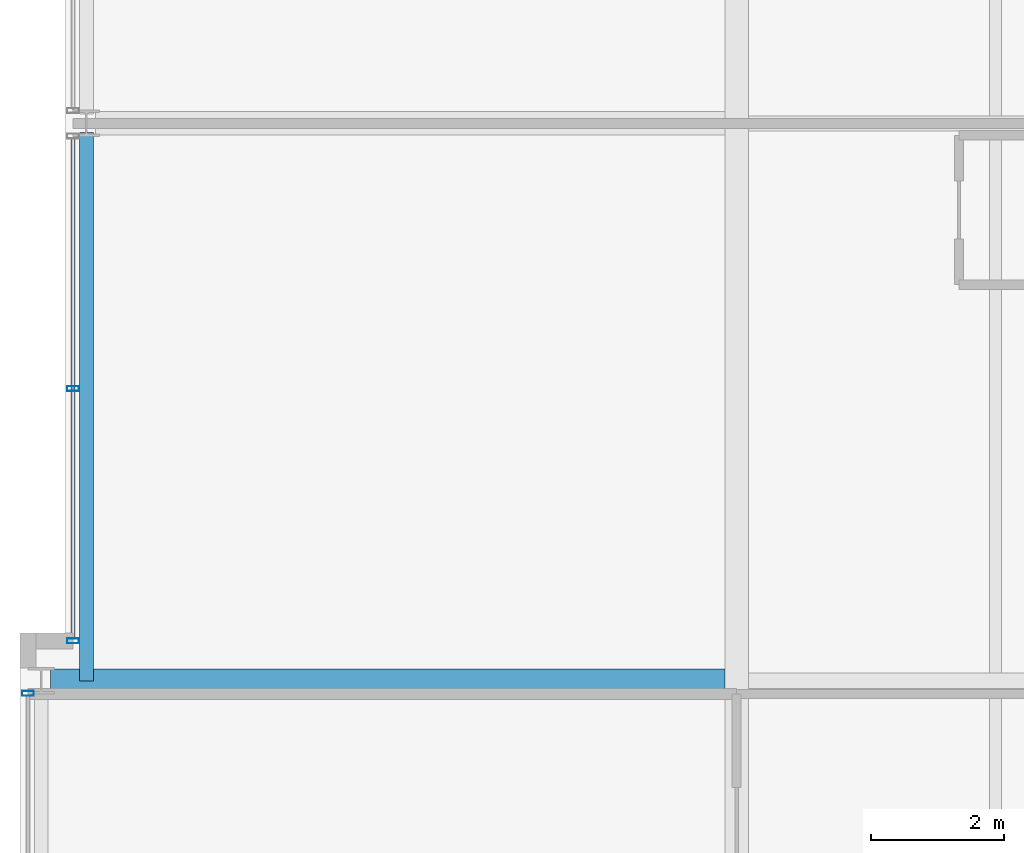
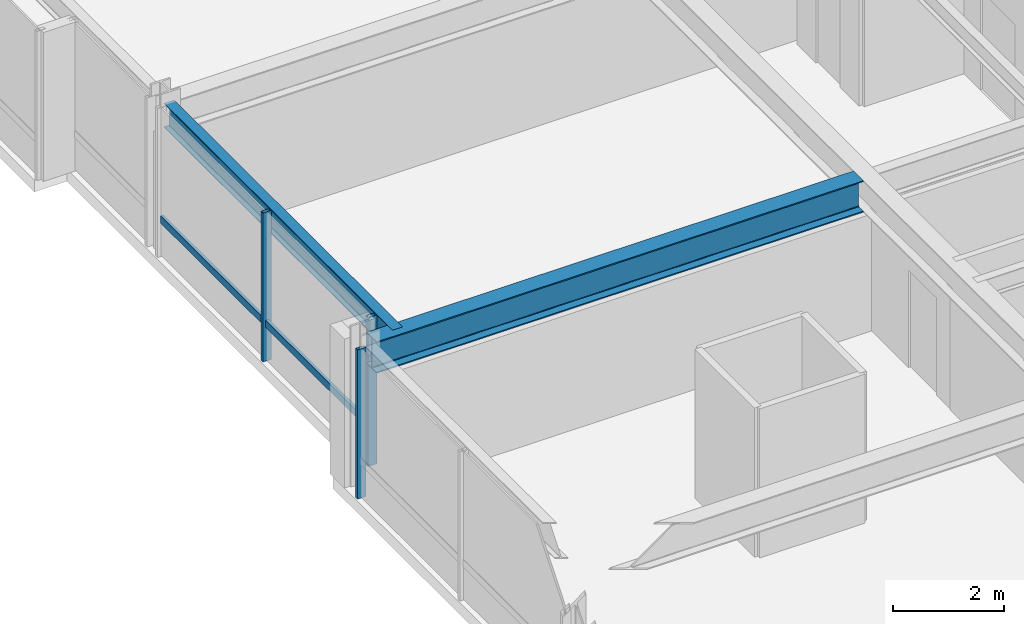
# One storey, part 7 of 33: 4 members, 2 beams, 2 elements without a shape of their own.
"""IFC4 building model written with IfcOpenShell, lengths in metres."""

from ifc_helpers import new_model, si_unit, direction, frame, origin, origin_2d, place, context, subcontext, project, spatial, hollow_rectangle, i_section, extrude, material, layer, layer_set, material_profile, profile_set, type_object, element, aggregate, save


model = new_model("IFC4")

# Units and contexts
model_context = context("Model", 3, precision=1e-05, world=origin(), true_north=direction((0.0, 1.0)))
body_context = subcontext(model_context, "Body", "Model", "MODEL_VIEW")
ifc_project = project(units=[si_unit("LENGTHUNIT", "METRE"), si_unit("AREAUNIT", "SQUARE_METRE"), si_unit("VOLUMEUNIT", "CUBIC_METRE"), si_unit("PLANEANGLEUNIT", "RADIAN"), si_unit("MASSUNIT", "GRAM", prefix="KILO")], contexts=[model_context])

# Site, building, storey
site_placement = place(None, origin())
site = spatial("IfcSite", under=ifc_project, at=site_placement, CompositionType="ELEMENT")
building_placement = place(site_placement, origin())
building = spatial("IfcBuilding", under=site, at=building_placement, Name="Drelvath Grand Hotel", CompositionType="ELEMENT")
storey_placement = place(building_placement, frame((0.0, 0.0, 178.800048828125)))
storey = spatial("IfcBuildingStorey", under=building, at=storey_placement, Name="L46", CompositionType="ELEMENT", Elevation=178.800048828125)

# Curtain wall, member
ifc_material_1 = material(Name="Brushed Pale-Silver Anodised Aluminium Frame", Category="aluminium")
ifc_layer = layer(ifc_material_1, 0.199951171875)
ifc_layer_set = layer_set([ifc_layer], Name="Brushed Pale-Silver Anodised Aluminium Frame")
curtain_wall_type = type_object("IfcCurtainWallType", Name="Stick Curtain Wall CW-04 Brushed Silver Upper-Mid", PredefinedType="NOTDEFINED", material=ifc_layer_set)
curtain_wall_1_placement = place(storey_placement, origin())
curtain_wall_1 = element("IfcCurtainWall", 1, at=curtain_wall_1_placement, inside=storey, type_object=curtain_wall_type, Name="L46 CW-04 Curtain Wall CW04-L46-WM1", PredefinedType="NOTDEFINED")
ifc_material_profile_1 = material_profile(ifc_material_1, hollow_rectangle(XDim=0.06494140625, YDim=0.159912109375, WallThickness=0.00390625, at=origin_2d()), Name="HSS160X65X4")
ifc_profile_set_1 = profile_set([ifc_material_profile_1], Name="Brushed Pale-Silver Anodised Aluminium Frame")
member_type_1 = type_object("IfcMemberType", Name="Curtain Wall Horizontal Transom CW-04 HSS160X65X4", PredefinedType="USERDEFINED", material=ifc_profile_set_1)
member_1_placement = place(storey_placement, frame((-26.199951171875, 19.239990234375, 0.822509765625), z_axis=(0.0, 1.0, 0.0), x_axis=(-1.0, 0.0, 0.0)))
member_1 = element("IfcMember", 2, at=member_1_placement, type_object=member_type_1, Name="CW04-L46-WM1 Sill Transom", ObjectType="TRANSOM", PredefinedType="USERDEFINED", context=body_context, shape_type="SweptSolid", body=[
    extrude(hollow_rectangle(XDim=0.06494140625, YDim=0.159912109375, WallThickness=0.00390625, at=origin_2d()), origin(), (0.0, 0.0, 1.0), 7.5283203125),
])

curtain_wall_2_placement = place(storey_placement, origin())
curtain_wall_2 = element("IfcCurtainWall", 3, at=curtain_wall_2_placement, inside=storey, type_object=curtain_wall_type, Name="L46 CW-04 Curtain Wall CW04-L46-WS2", PredefinedType="NOTDEFINED")
ifc_material_profile_2 = material_profile(ifc_material_1, hollow_rectangle(XDim=0.074951171875, YDim=0.179931640625, WallThickness=0.0048828125, at=origin_2d()), Name="HSS180X75X5")
ifc_profile_set_2 = profile_set([ifc_material_profile_2], Name="Brushed Pale-Silver Anodised Aluminium Frame")
member_type_2 = type_object("IfcMemberType", Name="Curtain Wall Vertical Mullion CW-04 HSS180X75X5", PredefinedType="MULLION", material=ifc_profile_set_2)
member_2_placement = place(storey_placement, frame((-26.8798828125, 18.408447265625, 0.0), z_axis=(0.0, 0.0, 1.0), x_axis=(0.0, 1.0, 0.0)))
member_2 = element("IfcMember", 4, at=member_2_placement, type_object=member_type_2, Name="CW04-L46-WS2 Mullion 3", PredefinedType="MULLION", context=body_context, shape_type="SweptSolid", body=[
    extrude(hollow_rectangle(XDim=0.074951171875, YDim=0.179931640625, WallThickness=0.0048828125, at=origin_2d()), origin(), (0.0, 0.0, 1.0), 3.2900390625),
])
aggregate(curtain_wall_2, [member_2])

# Member
member_3_placement = place(storey_placement, frame((-26.199951171875, 19.199951171875, 0.0), z_axis=(0.0, 0.0, 1.0), x_axis=(0.0, 1.0, 0.0)))
member_3 = element("IfcMember", 5, at=member_3_placement, type_object=member_type_2, Name="CW04-L46-WM1 Mullion 1", PredefinedType="MULLION", context=body_context, shape_type="SweptSolid", body=[
    extrude(hollow_rectangle(XDim=0.074951171875, YDim=0.179931640625, WallThickness=0.0048828125, at=origin_2d()), origin(), (0.0, 0.0, 1.0), 3.2900390625),
])

member_4_placement = place(storey_placement, frame((-26.199951171875, 23.004150390625, 0.0), z_axis=(0.0, 0.0, 1.0), x_axis=(0.0, 1.0, 0.0)))
member_4 = element("IfcMember", 6, at=member_4_placement, type_object=member_type_2, Name="CW04-L46-WM1 Mullion 2", PredefinedType="MULLION", context=body_context, shape_type="SweptSolid", body=[
    extrude(hollow_rectangle(XDim=0.074951171875, YDim=0.179931640625, WallThickness=0.0048828125, at=origin_2d()), origin(), (0.0, 0.0, 1.0), 3.2900390625),
])

aggregate(curtain_wall_1, [member_3, member_4, member_1])

# Beams
ifc_material_2 = material(Name="Steel ASTM A992 Gr 50", Category="steel")
ifc_material_profile_3 = material_profile(ifc_material_2, i_section(OverallWidth=0.210205078125, OverallDepth=0.53662109375, WebThickness=0.010986328125, FlangeThickness=0.017333984375, FilletRadius=0.01806640625, at=origin_2d()), Name="W21X68")
ifc_profile_set_3 = profile_set([ifc_material_profile_3], Name="Steel ASTM A992 Gr 50")
beam_type_1 = type_object("IfcBeamType", Name="Perimeter Spandrel Beam W21X68", PredefinedType="SPANDREL", material=ifc_profile_set_3)
beam_1_placement = place(storey_placement, frame((-26.0, 18.60009765625, 3.021728515625), z_axis=(0.0, 1.0, 0.0), x_axis=(-1.0, 0.0, 0.0)))
element("IfcBeam", 7, at=beam_1_placement, inside=storey, type_object=beam_type_1, Name="L46 Spandrel West Mid S", PredefinedType="SPANDREL", context=body_context, shape_type="SweptSolid", body=[
    extrude(i_section(OverallWidth=0.210205078125, OverallDepth=0.53662109375, WebThickness=0.010986328125, FlangeThickness=0.017333984375, FilletRadius=0.01806640625, at=origin_2d()), origin(), (0.0, 0.0, 1.0), 8.260009765625),
])
ifc_material_profile_4 = material_profile(ifc_material_2, i_section(OverallWidth=0.354736328125, OverallDepth=0.695556640625, WebThickness=0.015380859375, FlangeThickness=0.025146484375, FilletRadius=0.02392578125, at=origin_2d()), Name="W27X146")
ifc_profile_set_4 = profile_set([ifc_material_profile_4], Name="Steel ASTM A992 Gr 50")
beam_type_2 = type_object("IfcBeamType", Name="Primary Floor Girder W27X146", PredefinedType="BEAM", material=ifc_profile_set_4)
beam_2_placement = place(storey_placement, frame((-26.5400390625, 18.60009765625, 2.942138671875), z_axis=(1.0, 0.0, 0.0), x_axis=(0.0, 1.0, 0.0)))
element("IfcBeam", 8, at=beam_2_placement, inside=storey, type_object=beam_type_2, Name="L46 West Wing Girder D", PredefinedType="BEAM", context=body_context, shape_type="SweptSolid", body=[
    extrude(i_section(OverallWidth=0.354736328125, OverallDepth=0.695556640625, WebThickness=0.015380859375, FlangeThickness=0.025146484375, FilletRadius=0.02392578125, at=origin_2d()), origin(), (0.0, 0.0, 1.0), 10.16259765625),
])

save(model, "model.ifc")
